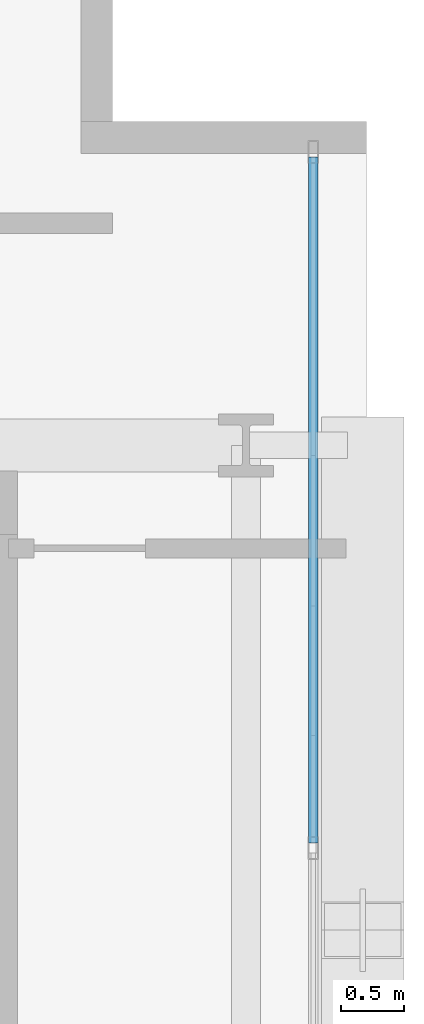
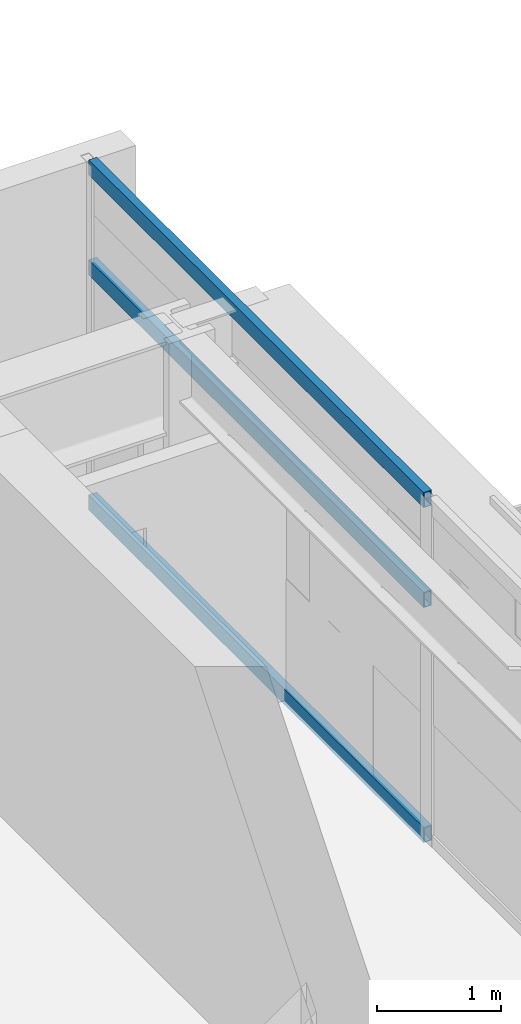
# One storey, part 15 of 31: 3 members, 1 element without a shape of its own.
"""IFC4 building model written with IfcOpenShell, lengths in metres."""

from ifc_helpers import new_model, si_unit, direction, frame, origin, origin_2d, place, context, subcontext, project, spatial, hollow_rectangle, extrude, source, transform, mapped, material, layer, layer_set, material_profile, profile_set, type_object, element, aggregate, save


model = new_model("IFC4")

# Units and contexts
model_context = context("Model", 3, precision=1e-05, world=origin(), true_north=direction((0.0, 1.0)))
body_context = subcontext(model_context, "Body", "Model", "MODEL_VIEW")
ifc_project = project(units=[si_unit("LENGTHUNIT", "METRE"), si_unit("AREAUNIT", "SQUARE_METRE"), si_unit("VOLUMEUNIT", "CUBIC_METRE"), si_unit("PLANEANGLEUNIT", "RADIAN"), si_unit("MASSUNIT", "GRAM", prefix="KILO")], contexts=[model_context])

# Site, building, storey
site_placement = place(None, origin())
site = spatial("IfcSite", under=ifc_project, at=site_placement, CompositionType="ELEMENT")
building_placement = place(site_placement, origin())
building = spatial("IfcBuilding", under=site, at=building_placement, Name="Ocotamira Hotel", CompositionType="ELEMENT")
storey_placement = place(building_placement, frame((0.0, 0.0, 202.800048828125)))
storey = spatial("IfcBuildingStorey", under=building, at=storey_placement, Name="L51", CompositionType="ELEMENT", Elevation=202.800048828125)

# Curtain wall, members
ifc_material_1 = material(Name="Anodised pale-metal aluminium and solar glass", Category="aluminium")
ifc_layer = layer(ifc_material_1, 0.199951171875)
ifc_layer_set = layer_set([ifc_layer], Name="Anodised pale-metal aluminium and solar glass")
curtain_wall_type = type_object("IfcCurtainWallType", Name="CW-SYS4-Z3", PredefinedType="NOTDEFINED", material=ifc_layer_set)
curtain_wall_placement = place(storey_placement, origin())
curtain_wall = element("IfcCurtainWall", 1, at=curtain_wall_placement, inside=storey, type_object=curtain_wall_type, Name="L51 Curtain Wall CW-4 CW-L51-E", PredefinedType="NOTDEFINED")
ifc_material_2 = material(Name="Anodised pale-metal aluminium 6063-T6", Category="aluminium")
ifc_material_profile = material_profile(ifc_material_2, hollow_rectangle(XDim=0.074951171875, YDim=0.14990234375, WallThickness=0.006103515625, at=origin_2d()), Name="HSS150X75X6")
ifc_profile_set = profile_set([ifc_material_profile], Name="Anodised pale-metal aluminium 6063-T6")
member_type = type_object("IfcMemberType", Name="CWT-150X75", PredefinedType="USERDEFINED", material=ifc_profile_set)
shared_shape = source(origin(), body_context, "Body", "SweptSolid", [
    extrude(hollow_rectangle(XDim=0.074951171875, YDim=0.14990234375, WallThickness=0.006103515625, at=origin_2d()), origin(), (0.0, 0.0, 1.0), 5.39990234375),
])
member_1_placement = place(storey_placement, frame((55.580078125, 34.320068359375, 0.037353515625), z_axis=(0.0, 1.0, 0.0), x_axis=(-1.0, 0.0, 0.0)))
member_1 = element("IfcMember", 2, at=member_1_placement, type_object=member_type, Name="CW-4 transom 5.1", ObjectType="TRANSOM", PredefinedType="USERDEFINED", context=body_context, shape_type="MappedRepresentation", body=[
    mapped(shared_shape, transform((0.0, 0.0, 0.0), scale=1.0)),
])
member_2_placement = place(storey_placement, frame((55.580078125, 34.320068359375, 2.349853515625), z_axis=(0.0, 1.0, 0.0), x_axis=(-1.0, 0.0, 0.0)))
member_2 = element("IfcMember", 3, at=member_2_placement, type_object=member_type, Name="CW-4 transom 5.2", ObjectType="TRANSOM", PredefinedType="USERDEFINED", context=body_context, shape_type="MappedRepresentation", body=[
    mapped(shared_shape, transform((0.0, 0.0, 0.0), scale=1.0)),
])
member_3_placement = place(storey_placement, frame((55.580078125, 34.320068359375, 3.33251953125), z_axis=(0.0, 1.0, 0.0), x_axis=(-1.0, 0.0, 0.0)))
member_3 = element("IfcMember", 4, at=member_3_placement, type_object=member_type, Name="CW-4 transom 5.3", ObjectType="TRANSOM", PredefinedType="USERDEFINED", context=body_context, shape_type="MappedRepresentation", body=[
    mapped(shared_shape, transform((0.0, 0.0, 0.0), scale=1.0)),
])
aggregate(curtain_wall, [member_1, member_2, member_3])

save(model, "model.ifc")
